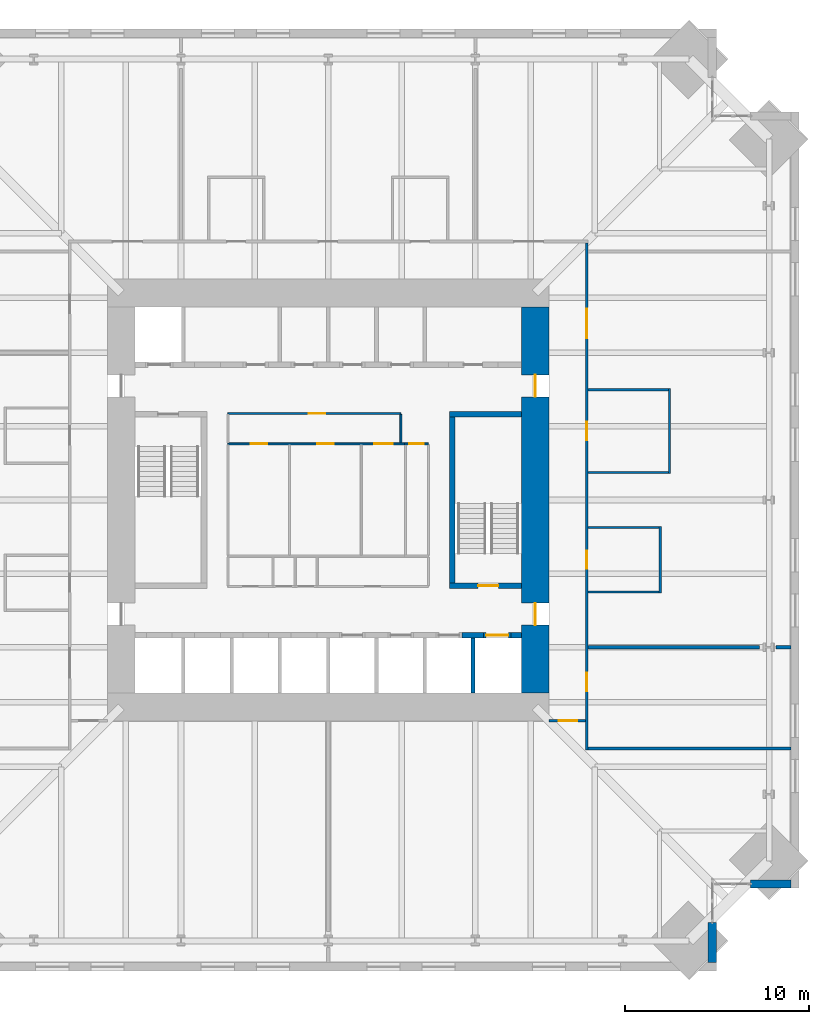
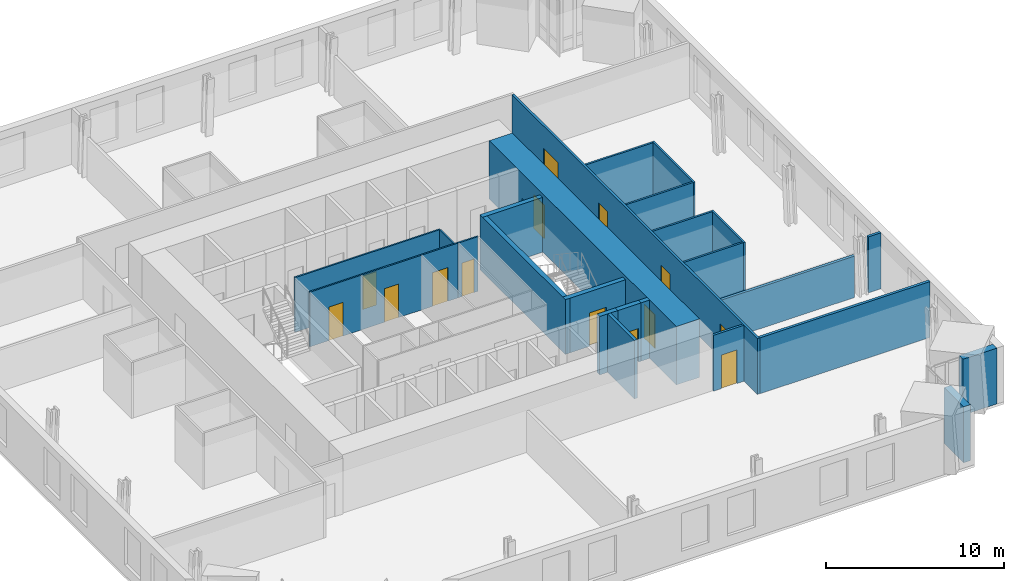
# One storey, part 15 of 18: 25 walls, 14 doors, 14 openings.
"""IFC4 building model written with IfcOpenShell, lengths in metres."""

import ifcopenshell
import ifcopenshell.guid

model = None  # the IFC model being written
_history = None  # IfcOwnerHistory: only IFC2X3 demands one
_inside = {}  # id of a spatial element -> (the spatial element, [elements in it])
_under = {}  # id of a project, library or spatial element -> (it, [spatial elements below it])
_declared = {}  # id of a project -> (the project, [libraries it declares])
_typed = {}  # id of a type object -> (the type object, [elements of that type])
_made_of = {}  # id of a material, layer set ... -> (it, [elements and type objects made of it])


def new_model(schema):
    """Start an empty IFC model of exactly this schema.

    Asked for "IFC4X3", IfcOpenShell would pick the latest addendum, in which some entities
    have other attributes; the version numbers below select the first issue.
    IFC2X3 requires an IfcOwnerHistory on every rooted entity: one is made here for all.
    """
    global model, _history
    if schema == "IFC4X3":
        model = ifcopenshell.file(schema_version=(4, 3, 0, 0))
    else:
        model = ifcopenshell.file(schema=schema)
    _inside.clear()
    _under.clear()
    _declared.clear()
    _typed.clear()
    _made_of.clear()
    _history = None
    if model.schema == "IFC2X3":
        org = make("IfcOrganization", Name="unknown")
        user = make(
            "IfcPersonAndOrganization",
            ThePerson=make("IfcPerson", FamilyName="unknown"),
            TheOrganization=org,
        )
        app = make(
            "IfcApplication",
            ApplicationDeveloper=org,
            Version="unknown",
            ApplicationFullName="unknown",
            ApplicationIdentifier="unknown",
        )
        _history = make(
            "IfcOwnerHistory",
            OwningUser=user,
            OwningApplication=app,
            ChangeAction="ADDED",
            CreationDate=0,
        )
    return model


def make(cls, **values):
    """One entity of the class cls with the attributes given. An attribute that is None is left unset."""
    return model.create_entity(
        cls, **{name: value for name, value in values.items() if value is not None}
    )


def rooted(cls, **values):
    """An entity with a GlobalId (a new one), such as an element, a storey or a relation."""
    return make(cls, GlobalId=ifcopenshell.guid.new(), OwnerHistory=_history, **values)


def si_unit(unit_type, name, prefix=None):
    """IfcSIUnit, for example si_unit("LENGTHUNIT", "METRE", prefix="MILLI")."""
    return make("IfcSIUnit", UnitType=unit_type, Prefix=prefix, Name=name)


def assignment(units):
    """IfcUnitAssignment: the units of a project."""
    return None if units is None else make("IfcUnitAssignment", Units=units)


def point(xyz):
    """IfcCartesianPoint."""
    return None if xyz is None else make("IfcCartesianPoint", Coordinates=xyz)


def direction(xyz):
    """IfcDirection."""
    return None if xyz is None else make("IfcDirection", DirectionRatios=xyz)


def frame(location, z_axis=None, x_axis=None):
    """IfcAxis2Placement3D, a coordinate frame: its origin and axes. An axis left out is left unset."""
    return make(
        "IfcAxis2Placement3D",
        Location=point(location),
        Axis=direction(z_axis),
        RefDirection=direction(x_axis),
    )


def frame_2d(location, x_axis=None):
    """IfcAxis2Placement2D, a coordinate frame in the plane: its origin and x axis."""
    return make(
        "IfcAxis2Placement2D", Location=point(location), RefDirection=direction(x_axis)
    )


def origin():
    """The frame at (0, 0, 0) with its axes left unset."""
    return frame((0.0, 0.0, 0.0))


def place(relative_to, where):
    """IfcLocalPlacement: puts the frame where relative to a parent placement (None: the world)."""
    return make(
        "IfcLocalPlacement", PlacementRelTo=relative_to, RelativePlacement=where
    )


def context(
    kind, dimensions, precision=None, world=None, true_north=None, identifier=None
):
    """IfcGeometricRepresentationContext, for example the 3D "Model" context."""
    return make(
        "IfcGeometricRepresentationContext",
        ContextIdentifier=identifier,
        ContextType=kind,
        CoordinateSpaceDimension=dimensions,
        Precision=precision,
        WorldCoordinateSystem=world,
        TrueNorth=true_north,
    )


def subcontext(parent, identifier, kind, view, scale=None):
    """IfcGeometricRepresentationSubContext, for example "Body" below "Model"."""
    return make(
        "IfcGeometricRepresentationSubContext",
        ContextIdentifier=identifier,
        ContextType=kind,
        ParentContext=parent,
        TargetScale=scale,
        TargetView=view,
    )


def project(units=None, contexts=None):
    """IfcProject with its units and contexts."""
    return rooted(
        "IfcProject",
        Name="project",
        RepresentationContexts=contexts,
        UnitsInContext=assignment(units),
    )


def spatial(cls, under=None, at=None, **own):
    """A site, building, storey or space (cls), placed at a placement, below another one or the project."""
    s = rooted(cls, ObjectPlacement=at, **own)
    if under is not None:
        _under.setdefault(under.id(), (under, []))[1].append(s)
    return s


def profile(cls, at=None, kind="AREA", **sizes):
    """A parametric profile (cls). Its sizes go by their IFC names, for example OverallWidth=200.0."""
    return make(cls, ProfileType=kind, Position=at, **sizes)


def rectangle(**sizes):
    """IfcRectangleProfileDef."""
    return profile("IfcRectangleProfileDef", **sizes)


def extrude(swept, where, along, depth):
    """IfcExtrudedAreaSolid: the profile swept, set in the frame where, extruded along a direction by depth."""
    return make(
        "IfcExtrudedAreaSolid",
        SweptArea=swept,
        Position=where,
        ExtrudedDirection=direction(along),
        Depth=depth,
    )


def shape(context_of_items, identifier, shape_type, items):
    """IfcShapeRepresentation: the items that make up one representation, for example the "Body"."""
    return make(
        "IfcShapeRepresentation",
        ContextOfItems=context_of_items,
        RepresentationIdentifier=identifier,
        RepresentationType=shape_type,
        Items=items,
    )


def material(Name=None, Category=None):
    """IfcMaterial."""
    return make("IfcMaterial", Name=Name, Category=Category)


def layer(
    of_material, thickness, ventilated=None, Name=None, Category=None, Priority=None
):
    """IfcMaterialLayer: one layer of a wall or slab, of a material (None: an air gap)."""
    return make(
        "IfcMaterialLayer",
        Material=of_material,
        LayerThickness=thickness,
        IsVentilated=ventilated,
        Name=Name,
        Category=Category,
        Priority=Priority,
    )


def layer_set(layers, Name=None):
    """IfcMaterialLayerSet."""
    return make("IfcMaterialLayerSet", MaterialLayers=layers, LayerSetName=Name)


def made_of(thing, what):
    """Note that an element or type object is made of a material, layer set ...; save() writes the relation."""
    if what is not None:
        _made_of.setdefault(what.id(), (what, []))[1].append(thing)
    return thing


def type_object(cls, material=None, **own):
    """A type object (cls), such as IfcWallType, which elements share."""
    return made_of(rooted(cls, **own), material)


def element(
    cls,
    number,
    at=None,
    inside=None,
    cuts=None,
    type_object=None,
    material=None,
    context=None,
    identifier="Body",
    shape_type=None,
    held_by="IfcProductDefinitionShape",
    body=None,
    shapes=None,
    **own,
):
    """One element of the class cls, such as IfcWall. Its Tag is "e" and its number.

    at: its placement. inside: the storey or other place that contains it. cuts: it is an
    opening in that element (IfcRelVoidsElement). A single representation is given by context,
    identifier, shape_type and body (its items); several are given by shapes. held_by: the class
    of the entity that holds the representations. save() writes the other relations.
    """
    e = rooted(cls, Tag="e%d" % number, ObjectPlacement=at, **own)
    if body is not None:
        shapes = [shape(context, identifier, shape_type, body)]
    if shapes is not None:
        e.Representation = make(held_by, Representations=shapes)
    if inside is not None:
        _inside.setdefault(inside.id(), (inside, []))[1].append(e)
    if cuts is not None:
        rooted(
            "IfcRelVoidsElement", RelatingBuildingElement=cuts, RelatedOpeningElement=e
        )
    if type_object is not None:
        _typed.setdefault(type_object.id(), (type_object, []))[1].append(e)
    return made_of(e, material)


def fill(opening, filler):
    """IfcRelFillsElement: the door or window that sits in an opening."""
    return rooted(
        "IfcRelFillsElement",
        RelatingOpeningElement=opening,
        RelatedBuildingElement=filler,
    )


def aggregate(whole, parts):
    """IfcRelAggregates: a whole, such as a stair, and the parts it consists of."""
    return rooted("IfcRelAggregates", RelatingObject=whole, RelatedObjects=parts)


def save(model, path):
    """Write the relations noted so far, then the file.

    IfcRelAggregates (storeys below a building ...), IfcRelContainedInSpatialStructure (elements
    in a storey), IfcRelDefinesByType, IfcRelAssociatesMaterial and IfcRelDeclares: one each for
    every whole, place, type object, material and project.
    """
    for whole, parts in _under.values():
        aggregate(whole, parts)
    for where, things in _inside.values():
        rooted(
            "IfcRelContainedInSpatialStructure",
            RelatedElements=things,
            RelatingStructure=where,
        )
    for kind, things in _typed.values():
        rooted("IfcRelDefinesByType", RelatedObjects=things, RelatingType=kind)
    for what, things in _made_of.values():
        rooted("IfcRelAssociatesMaterial", RelatedObjects=things, RelatingMaterial=what)
    for by, libraries in _declared.values():
        rooted("IfcRelDeclares", RelatingContext=by, RelatedDefinitions=libraries)
    model.write(path)


model = new_model("IFC4")

# Units and contexts
model_context = context("Model", 3, precision=1e-05, world=origin(), true_north=direction((0.0, 1.0)))
body_context = subcontext(model_context, "Body", "Model", "MODEL_VIEW")
ifc_project = project(units=[si_unit("LENGTHUNIT", "METRE"), si_unit("AREAUNIT", "SQUARE_METRE"), si_unit("VOLUMEUNIT", "CUBIC_METRE"), si_unit("PLANEANGLEUNIT", "RADIAN"), si_unit("MASSUNIT", "GRAM", prefix="KILO")], contexts=[model_context])

# Site, building, storey
site_placement = place(None, origin())
site = spatial("IfcSite", under=ifc_project, at=site_placement, CompositionType="ELEMENT")
building_placement = place(site_placement, origin())
building = spatial("IfcBuilding", under=site, at=building_placement, Name="Peilmerk Tower", CompositionType="ELEMENT")
storey_placement = place(building_placement, frame((0.0, 0.0, 171.800048828125)))
storey = spatial("IfcBuildingStorey", under=building, at=storey_placement, Name="L36", CompositionType="ELEMENT", Elevation=171.800048828125)

# Walls
ifc_material_1 = material(Name="Precast concrete C45/55, board-marked finish", Category="concrete")
ifc_layer_1 = layer(ifc_material_1, 0.449951171875)
ifc_layer_set_1 = layer_set([ifc_layer_1], Name="Precast concrete C45/55, board-marked finish")
wall_type_1 = type_object("IfcWallType", Name="EW1 450 precast concrete facade wall, board-marked", PredefinedType="SOLIDWALL", material=ifc_layer_set_1)
for number, where, z_axis, x_axis, name in (
    (1, (20.875, -22.95361328125, 0.0), (0.0, 0.0, 1.0), (0.0, -1.0, 0.0), "Facade wall SEA L36"),
    (2, (22.95361328125, -20.875, 0.0), (0.0, 0.0, 1.0), (1.0, 0.0, 0.0), "Facade wall SEB L36"),
):
    element("IfcWall", number, at=place(storey_placement, frame(where, z_axis=z_axis, x_axis=x_axis)), inside=storey, type_object=wall_type_1, Name=name, PredefinedType="SOLIDWALL", context=body_context, shape_type="SweptSolid", body=[
        extrude(rectangle(XDim=2.1962890625, YDim=0.449951171875, at=frame_2d((1.09814453125, 0.0))), origin(), (0.0, 0.0, 1.0), 3.829833984375),
    ])

# Wall, openings, doors
ifc_material_2 = material(Name="Calcium silicate block", Category="masonry")
ifc_layer_2 = layer(ifc_material_2, 0.14990234375)
ifc_layer_set_2 = layer_set([ifc_layer_2], Name="Calcium silicate block")
wall_type_2 = type_object("IfcWallType", Name="IW1 150 corridor partition, EI 60", PredefinedType="PARTITIONING", material=ifc_layer_set_2)
wall_1_placement = place(storey_placement, frame((14.050048828125, -13.574951171875, 0.0), z_axis=(0.0, 0.0, 1.0), x_axis=(0.0, 1.0, 0.0)))
wall_1 = element("IfcWall", 3, at=wall_1_placement, inside=storey, type_object=wall_type_2, Name="Corridor wall E L36", PredefinedType="PARTITIONING", context=body_context, shape_type="SweptSolid", body=[
    extrude(rectangle(XDim=27.550048828125, YDim=0.14990234375, at=frame_2d((13.77490234375, 0.0))), origin(), (0.0, 0.0, 1.0), 3.829833984375),
])
opening_1_placement = place(wall_1_placement, frame((3.175048828125, 0.0, 0.0)))
opening_1 = element("IfcOpeningElement", 4, at=opening_1_placement, cuts=wall_1, Name="Opening D1", PredefinedType="OPENING", context=body_context, shape_type="SweptSolid", body=[
    extrude(rectangle(XDim=1.0, YDim=2.300048828125, at=frame_2d((0.5, 1.14990234375))), frame((0.0, 0.0849609375, 0.0), z_axis=(0.0, -1.0, 0.0), x_axis=(1.0, 0.0, 0.0)), (0.0, 0.0, 1.0), 0.169921875),
])
opening_2_placement = place(wall_1_placement, frame((22.375, 0.0, 0.0)))
opening_2 = element("IfcOpeningElement", 5, at=opening_2_placement, cuts=wall_1, Name="Opening D9", PredefinedType="OPENING", context=body_context, shape_type="SweptSolid", body=[
    extrude(rectangle(XDim=1.60009765625, YDim=2.300048828125, at=frame_2d((0.800048828125, 1.14990234375))), frame((0.0, 0.0849609375, 0.0), z_axis=(0.0, -1.0, 0.0), x_axis=(1.0, 0.0, 0.0)), (0.0, 0.0, 1.0), 0.169921875),
])
opening_3_placement = place(wall_1_placement, frame((16.824951171875, 0.0, 0.0)))
opening_3 = element("IfcOpeningElement", 6, at=opening_3_placement, cuts=wall_1, Name="Opening D1", PredefinedType="OPENING", context=body_context, shape_type="SweptSolid", body=[
    extrude(rectangle(XDim=1.0, YDim=2.300048828125, at=frame_2d((0.5, 1.14990234375))), frame((0.0, 0.0849609375, 0.0), z_axis=(0.0, -1.0, 0.0), x_axis=(1.0, 0.0, 0.0)), (0.0, 0.0, 1.0), 0.169921875),
])
opening_4_placement = place(wall_1_placement, frame((9.824951171875, 0.0, 0.0)))
opening_4 = element("IfcOpeningElement", 7, at=opening_4_placement, cuts=wall_1, Name="Opening D1", PredefinedType="OPENING", context=body_context, shape_type="SweptSolid", body=[
    extrude(rectangle(XDim=1.0, YDim=2.300048828125, at=frame_2d((0.5, 1.14990234375))), frame((0.0, 0.0849609375, 0.0), z_axis=(0.0, -1.0, 0.0), x_axis=(1.0, 0.0, 0.0)), (0.0, 0.0, 1.0), 0.169921875),
])
ifc_material_3 = material(Name="Timber door in steel frame", Category="steel")
door_type_1 = type_object("IfcDoorType", Name="D1 1000x2300 room door, EI2 30", OperationType="SINGLE_SWING_LEFT", PredefinedType="DOOR", material=ifc_material_3)
door_1_placement = place(opening_1_placement, frame((1.0, 0.0, 0.0), z_axis=(0.0, 0.0, 1.0), x_axis=(-1.0, 0.0, 0.0)))
door_1 = element("IfcDoor", 8, at=door_1_placement, inside=storey, type_object=door_type_1, Name="Door Project room L36", OperationType="SINGLE_SWING_LEFT", OverallHeight=2.300048828125, OverallWidth=1.0, PredefinedType="DOOR", context=body_context, shape_type="SweptSolid", body=[
    extrude(rectangle(XDim=1.0, YDim=2.300048828125, at=frame_2d((0.5, 1.14990234375))), frame((0.0, 0.02490234375, 0.0), z_axis=(0.0, -1.0, 0.0), x_axis=(1.0, 0.0, 0.0)), (0.0, 0.0, 1.0), 0.050048828125),
])
fill(opening_1, door_1)
door_2_placement = place(opening_3_placement, frame((1.0, 0.0, 0.0), z_axis=(0.0, 0.0, 1.0), x_axis=(-1.0, 0.0, 0.0)))
door_2 = element("IfcDoor", 9, at=door_2_placement, inside=storey, type_object=door_type_1, Name="Door Meeting room L36", OperationType="SINGLE_SWING_LEFT", OverallHeight=2.300048828125, OverallWidth=1.0, PredefinedType="DOOR", context=body_context, shape_type="SweptSolid", body=[
    extrude(rectangle(XDim=1.0, YDim=2.300048828125, at=frame_2d((0.5, 1.14990234375))), frame((0.0, 0.02490234375, 0.0), z_axis=(0.0, -1.0, 0.0), x_axis=(1.0, 0.0, 0.0)), (0.0, 0.0, 1.0), 0.050048828125),
])
fill(opening_3, door_2)
door_3_placement = place(opening_4_placement, frame((1.0, 0.0, 0.0), z_axis=(0.0, 0.0, 1.0), x_axis=(-1.0, 0.0, 0.0)))
door_3 = element("IfcDoor", 10, at=door_3_placement, inside=storey, type_object=door_type_1, Name="Door Pantry L36", OperationType="SINGLE_SWING_LEFT", OverallHeight=2.300048828125, OverallWidth=1.0, PredefinedType="DOOR", context=body_context, shape_type="SweptSolid", body=[
    extrude(rectangle(XDim=1.0, YDim=2.300048828125, at=frame_2d((0.5, 1.14990234375))), frame((0.0, 0.02490234375, 0.0), z_axis=(0.0, -1.0, 0.0), x_axis=(1.0, 0.0, 0.0)), (0.0, 0.0, 1.0), 0.050048828125),
])
fill(opening_4, door_3)
ifc_material_4 = material(Name="Glazed timber door in steel frame", Category="steel")
door_type_2 = type_object("IfcDoorType", Name="D9 1600x2300 glazed double door, EI2 30", OperationType="DOUBLE_DOOR_SINGLE_SWING", PredefinedType="DOOR", material=ifc_material_4)
door_4_placement = place(opening_2_placement, frame((1.60009765625, 0.0, 0.0), z_axis=(0.0, 0.0, 1.0), x_axis=(-1.0, 0.0, 0.0)))
door_4 = element("IfcDoor", 11, at=door_4_placement, inside=storey, type_object=door_type_2, Name="Door Open workspace L36", OperationType="DOUBLE_DOOR_SINGLE_SWING", OverallHeight=2.300048828125, OverallWidth=1.60009765625, PredefinedType="DOOR", context=body_context, shape_type="SweptSolid", body=[
    extrude(rectangle(XDim=1.60009765625, YDim=2.300048828125, at=frame_2d((0.800048828125, 1.14990234375))), frame((0.0, 0.02490234375, 0.0), z_axis=(0.0, -1.0, 0.0), x_axis=(1.0, 0.0, 0.0)), (0.0, 0.0, 1.0), 0.050048828125),
])
fill(opening_2, door_4)

# Wall, opening, door
wall_2_placement = place(storey_placement, frame((13.97509765625, -12.0, 0.0), z_axis=(0.0, 0.0, 1.0), x_axis=(-1.0, 0.0, 0.0)))
wall_2 = element("IfcWall", 12, at=wall_2_placement, inside=storey, type_object=wall_type_2, Name="Corridor wall SE L36", PredefinedType="PARTITIONING", context=body_context, shape_type="SweptSolid", body=[
    extrude(rectangle(XDim=1.97509765625, YDim=0.14990234375, at=frame_2d((0.987548828125, 0.0))), origin(), (0.0, 0.0, 1.0), 3.829833984375),
])
opening_5_placement = place(wall_2_placement, frame((0.449951171875, 0.0, 0.0)))
opening_5 = element("IfcOpeningElement", 13, at=opening_5_placement, cuts=wall_2, Name="Opening D1", PredefinedType="OPENING", context=body_context, shape_type="SweptSolid", body=[
    extrude(rectangle(XDim=1.0, YDim=2.300048828125, at=frame_2d((0.5, 1.14990234375))), frame((0.0, 0.0849609375, 0.0), z_axis=(0.0, -1.0, 0.0), x_axis=(1.0, 0.0, 0.0)), (0.0, 0.0, 1.0), 0.169921875),
])
door_5_placement = place(opening_5_placement, origin())
door_5 = element("IfcDoor", 14, at=door_5_placement, inside=storey, type_object=door_type_1, Name="Door Open workspace L36", OperationType="SINGLE_SWING_LEFT", OverallHeight=2.300048828125, OverallWidth=1.0, PredefinedType="DOOR", context=body_context, shape_type="SweptSolid", body=[
    extrude(rectangle(XDim=1.0, YDim=2.300048828125, at=frame_2d((0.5, 1.14990234375))), frame((0.0, 0.02490234375, 0.0), z_axis=(0.0, -1.0, 0.0), x_axis=(1.0, 0.0, 0.0)), (0.0, 0.0, 1.0), 0.050048828125),
])
fill(opening_5, door_5)

# Walls
ifc_material_5 = material(Name="Concrete C35/45", Category="concrete")
ifc_layer_3 = layer(ifc_material_5, 0.300048828125)
ifc_layer_set_3 = layer_set([ifc_layer_3], Name="Concrete C35/45")
wall_type_3 = type_object("IfcWallType", Name="IW3 300 concrete stair enclosure wall, EI 120", PredefinedType="SOLIDWALL", material=ifc_layer_set_3)
wall_3_placement = place(storey_placement, frame((6.75, -4.800048828125, 0.0), z_axis=(0.0, 0.0, 1.0), x_axis=(0.0, 1.0, 0.0)))
element("IfcWall", 15, at=wall_3_placement, inside=storey, type_object=wall_type_3, Name="Stair 2 enclosure L36", PredefinedType="SOLIDWALL", context=body_context, shape_type="SweptSolid", body=[
    extrude(rectangle(XDim=9.60009765625, YDim=0.300048828125, at=frame_2d((4.800048828125, 0.0))), origin(), (0.0, 0.0, 1.0), 3.75),
])
wall_4_placement = place(storey_placement, frame((6.60009765625, 4.64990234375, 0.0), z_axis=(0.0, 0.0, 1.0), x_axis=(1.0, 0.0, 0.0)))
element("IfcWall", 16, at=wall_4_placement, inside=storey, type_object=wall_type_3, Name="Stair 2 enclosure L36", PredefinedType="SOLIDWALL", context=body_context, shape_type="SweptSolid", body=[
    extrude(rectangle(XDim=3.89990234375, YDim=0.300048828125, at=frame_2d((1.949951171875, 0.0))), origin(), (0.0, 0.0, 1.0), 3.75),
])

# Wall, opening, door
wall_5_placement = place(storey_placement, frame((10.5, -4.64990234375, 0.0), z_axis=(0.0, 0.0, 1.0), x_axis=(-1.0, 0.0, 0.0)))
wall_5 = element("IfcWall", 17, at=wall_5_placement, inside=storey, type_object=wall_type_3, Name="Stair 2 enclosure L36", PredefinedType="SOLIDWALL", context=body_context, shape_type="SweptSolid", body=[
    extrude(rectangle(XDim=3.89990234375, YDim=0.300048828125, at=frame_2d((1.949951171875, 0.0))), origin(), (0.0, 0.0, 1.0), 3.75),
])
opening_6_placement = place(wall_5_placement, frame((1.25, 0.0, 0.0)))
opening_6 = element("IfcOpeningElement", 18, at=opening_6_placement, cuts=wall_5, Name="Opening D4", PredefinedType="OPENING", context=body_context, shape_type="SweptSolid", body=[
    extrude(rectangle(XDim=1.10009765625, YDim=2.300048828125, at=frame_2d((0.550048828125, 1.14990234375))), frame((0.0, 0.159912109375, 0.0), z_axis=(0.0, -1.0, 0.0), x_axis=(1.0, 0.0, 0.0)), (0.0, 0.0, 1.0), 0.320068359375),
])
ifc_material_6 = material(Name="Steel door in steel frame", Category="steel")
door_type_3 = type_object("IfcDoorType", Name="D4 1100x2300 stair door, EI2 60", OperationType="SINGLE_SWING_RIGHT", PredefinedType="DOOR", material=ifc_material_6)
door_6_placement = place(opening_6_placement, frame((1.10009765625, 0.0, 0.0), z_axis=(0.0, 0.0, 1.0), x_axis=(-1.0, 0.0, 0.0)))
door_6 = element("IfcDoor", 19, at=door_6_placement, inside=storey, type_object=door_type_3, Name="Stair 2 door L36", OperationType="SINGLE_SWING_RIGHT", OverallHeight=2.300048828125, OverallWidth=1.10009765625, PredefinedType="DOOR", context=body_context, shape_type="SweptSolid", body=[
    extrude(rectangle(XDim=1.10009765625, YDim=2.300048828125, at=frame_2d((0.550048828125, 1.14990234375))), frame((0.0, 0.02490234375, 0.0), z_axis=(0.0, -1.0, 0.0), x_axis=(1.0, 0.0, 0.0)), (0.0, 0.0, 1.0), 0.050048828125),
])
fill(opening_6, door_6)

# Wall, openings, doors
ifc_material_7 = material(Name="Plasterboard on steel studs", Category="steel")
ifc_layer_4 = layer(ifc_material_7, 0.10009765625)
ifc_layer_set_4 = layer_set([ifc_layer_4], Name="Plasterboard on steel studs")
wall_type_4 = type_object("IfcWallType", Name="IW4 100 WC partition", PredefinedType="PARTITIONING", material=ifc_layer_set_4)
wall_6_placement = place(storey_placement, frame((-5.449951171875, 3.050048828125, 0.0), z_axis=(0.0, 0.0, 1.0), x_axis=(1.0, 0.0, 0.0)))
wall_6 = element("IfcWall", 20, at=wall_6_placement, inside=storey, type_object=wall_type_4, Name="WC wall L36", PredefinedType="PARTITIONING", context=body_context, shape_type="SweptSolid", body=[
    extrude(rectangle(XDim=9.599853515625, YDim=0.10009765625, at=frame_2d((4.7998046875, 0.0))), origin(), (0.0, 0.0, 1.0), 3.75),
])
opening_7_placement = place(wall_6_placement, frame((1.25, 0.0, 0.0)))
opening_7 = element("IfcOpeningElement", 21, at=opening_7_placement, cuts=wall_6, Name="Opening D5", PredefinedType="OPENING", context=body_context, shape_type="SweptSolid", body=[
    extrude(rectangle(XDim=0.89990234375, YDim=2.300048828125, at=frame_2d((0.449951171875, 1.14990234375))), frame((0.0, 0.06005859375, 0.0), z_axis=(0.0, -1.0, 0.0), x_axis=(1.0, 0.0, 0.0)), (0.0, 0.0, 1.0), 0.1201171875),
])
opening_8_placement = place(wall_6_placement, frame((4.85009765625, 0.0, 0.0)))
opening_8 = element("IfcOpeningElement", 22, at=opening_8_placement, cuts=wall_6, Name="Opening D5", PredefinedType="OPENING", context=body_context, shape_type="SweptSolid", body=[
    extrude(rectangle(XDim=0.89990234375, YDim=2.300048828125, at=frame_2d((0.449951171875, 1.14990234375))), frame((0.0, 0.06005859375, 0.0), z_axis=(0.0, -1.0, 0.0), x_axis=(1.0, 0.0, 0.0)), (0.0, 0.0, 1.0), 0.1201171875),
])
opening_9_placement = place(wall_6_placement, frame((7.949951171875, 0.0, 0.0)))
opening_9 = element("IfcOpeningElement", 23, at=opening_9_placement, cuts=wall_6, Name="Opening D6", PredefinedType="OPENING", context=body_context, shape_type="SweptSolid", body=[
    extrude(rectangle(XDim=1.0, YDim=2.300048828125, at=frame_2d((0.5, 1.14990234375))), frame((0.0, 0.06005859375, 0.0), z_axis=(0.0, -1.0, 0.0), x_axis=(1.0, 0.0, 0.0)), (0.0, 0.0, 1.0), 0.1201171875),
])
door_type_4 = type_object("IfcDoorType", Name="D5 900x2300 WC door", OperationType="SINGLE_SWING_LEFT", PredefinedType="DOOR", material=ifc_material_3)
door_7_placement = place(opening_7_placement, frame((0.89990234375, 0.0, 0.0), z_axis=(0.0, 0.0, 1.0), x_axis=(-1.0, 0.0, 0.0)))
door_7 = element("IfcDoor", 24, at=door_7_placement, inside=storey, type_object=door_type_4, Name="Female toilets door L36", OperationType="SINGLE_SWING_LEFT", OverallHeight=2.300048828125, OverallWidth=0.89990234375, PredefinedType="DOOR", context=body_context, shape_type="SweptSolid", body=[
    extrude(rectangle(XDim=0.89990234375, YDim=2.300048828125, at=frame_2d((0.449951171875, 1.14990234375))), frame((0.0, 0.02490234375, 0.0), z_axis=(0.0, -1.0, 0.0), x_axis=(1.0, 0.0, 0.0)), (0.0, 0.0, 1.0), 0.050048828125),
])
fill(opening_7, door_7)
door_8_placement = place(opening_8_placement, frame((0.89990234375, 0.0, 0.0), z_axis=(0.0, 0.0, 1.0), x_axis=(-1.0, 0.0, 0.0)))
door_8 = element("IfcDoor", 25, at=door_8_placement, inside=storey, type_object=door_type_4, Name="Male toilets door L36", OperationType="SINGLE_SWING_LEFT", OverallHeight=2.300048828125, OverallWidth=0.89990234375, PredefinedType="DOOR", context=body_context, shape_type="SweptSolid", body=[
    extrude(rectangle(XDim=0.89990234375, YDim=2.300048828125, at=frame_2d((0.449951171875, 1.14990234375))), frame((0.0, 0.02490234375, 0.0), z_axis=(0.0, -1.0, 0.0), x_axis=(1.0, 0.0, 0.0)), (0.0, 0.0, 1.0), 0.050048828125),
])
fill(opening_8, door_8)
door_type_5 = type_object("IfcDoorType", Name="D6 1000x2300 accessible WC door", OperationType="SLIDING_TO_LEFT", PredefinedType="DOOR", material=ifc_material_3)
door_9_placement = place(opening_9_placement, frame((1.0, 0.0, 0.0), z_axis=(0.0, 0.0, 1.0), x_axis=(-1.0, 0.0, 0.0)))
door_9 = element("IfcDoor", 26, at=door_9_placement, inside=storey, type_object=door_type_5, Name="Accessible WC door L36", OperationType="SLIDING_TO_LEFT", OverallHeight=2.300048828125, OverallWidth=1.0, PredefinedType="DOOR", context=body_context, shape_type="SweptSolid", body=[
    extrude(rectangle(XDim=1.0, YDim=2.300048828125, at=frame_2d((0.5, 1.14990234375))), frame((0.0, 0.02490234375, 0.0), z_axis=(0.0, -1.0, 0.0), x_axis=(1.0, 0.0, 0.0)), (0.0, 0.0, 1.0), 0.050048828125),
])
fill(opening_9, door_9)

# Wall, opening, door
ifc_material_8 = material(Name="Calcium silicate board on steel studs", Category="steel")
ifc_layer_5 = layer(ifc_material_8, 0.10009765625)
ifc_layer_set_5 = layer_set([ifc_layer_5], Name="Calcium silicate board on steel studs")
wall_type_5 = type_object("IfcWallType", Name="IW5 100 riser enclosure wall, EI 60", PredefinedType="PARTITIONING", material=ifc_layer_set_5)
wall_7_placement = place(storey_placement, frame((4.14990234375, 3.050048828125, 0.0), z_axis=(0.0, 0.0, 1.0), x_axis=(1.0, 0.0, 0.0)))
wall_7 = element("IfcWall", 27, at=wall_7_placement, inside=storey, type_object=wall_type_5, Name="Riser wall L36", PredefinedType="PARTITIONING", context=body_context, shape_type="SweptSolid", body=[
    extrude(rectangle(XDim=1.300048828125, YDim=0.10009765625, at=frame_2d((0.64990234375, 0.0))), origin(), (0.0, 0.0, 1.0), 3.75),
])
opening_10_placement = place(wall_7_placement, frame((0.25, 0.0, 0.0)))
opening_10 = element("IfcOpeningElement", 28, at=opening_10_placement, cuts=wall_7, Name="Opening D7", PredefinedType="OPENING", context=body_context, shape_type="SweptSolid", body=[
    extrude(rectangle(XDim=0.800048828125, YDim=2.300048828125, at=frame_2d((0.39990234375, 1.14990234375))), frame((0.0, 0.06005859375, 0.0), z_axis=(0.0, -1.0, 0.0), x_axis=(1.0, 0.0, 0.0)), (0.0, 0.0, 1.0), 0.1201171875),
])
door_type_6 = type_object("IfcDoorType", Name="D7 800x2300 riser access door, EI2 60", OperationType="SINGLE_SWING_RIGHT", PredefinedType="DOOR", material=ifc_material_6)
door_10_placement = place(opening_10_placement, frame((0.800048828125, 0.0, 0.0), z_axis=(0.0, 0.0, 1.0), x_axis=(-1.0, 0.0, 0.0)))
door_10 = element("IfcDoor", 29, at=door_10_placement, inside=storey, type_object=door_type_6, Name="Plumbing riser door L36", OperationType="SINGLE_SWING_RIGHT", OverallHeight=2.300048828125, OverallWidth=0.800048828125, PredefinedType="DOOR", context=body_context, shape_type="SweptSolid", body=[
    extrude(rectangle(XDim=0.800048828125, YDim=2.300048828125, at=frame_2d((0.39990234375, 1.14990234375))), frame((0.0, 0.02490234375, 0.0), z_axis=(0.0, -1.0, 0.0), x_axis=(1.0, 0.0, 0.0)), (0.0, 0.0, 1.0), 0.050048828125),
])
fill(opening_10, door_10)

# Walls
ifc_material_9 = material(Name="Plasterboard on steel studs, double boarded with mineral wool", Category="steel")
ifc_layer_6 = layer(ifc_material_9, 0.125)
ifc_layer_set_6 = layer_set([ifc_layer_6], Name="Plasterboard on steel studs, double boarded with mineral wool")
wall_type_6 = type_object("IfcWallType", Name="IW7 125 acoustic partition, EI 30", PredefinedType="PARTITIONING", material=ifc_layer_set_6)
wall_8_placement = place(storey_placement, frame((18.550048828125, 1.4375, 0.0), z_axis=(0.0, 0.0, 1.0), x_axis=(0.0, 1.0, 0.0)))
element("IfcWall", 30, at=wall_8_placement, inside=storey, type_object=wall_type_6, Name="Acoustic partition Meeting room L36", PredefinedType="PARTITIONING", context=body_context, shape_type="SweptSolid", body=[
    extrude(rectangle(XDim=4.625, YDim=0.125, at=frame_2d((2.3125, 0.0))), origin(), (0.0, 0.0, 1.0), 3.829833984375),
])
for number, where, z_axis, x_axis, name in (
    (31, (14.125, 1.5, 0.0), (0.0, 0.0, 1.0), (1.0, 0.0, 0.0), "Acoustic partition Meeting room L36"),
    (32, (14.125, 6.0, 0.0), (0.0, 0.0, 1.0), (1.0, 0.0, 0.0), "Acoustic partition Meeting room L36"),
):
    element("IfcWall", number, at=place(storey_placement, frame(where, z_axis=z_axis, x_axis=x_axis)), inside=storey, type_object=wall_type_6, Name=name, PredefinedType="PARTITIONING", context=body_context, shape_type="SweptSolid", body=[
        extrude(rectangle(XDim=4.362548828125, YDim=0.125, at=frame_2d((2.18115234375, 0.0))), origin(), (0.0, 0.0, 1.0), 3.829833984375),
    ])
wall_9_placement = place(storey_placement, frame((18.050048828125, -5.0625, 0.0), z_axis=(0.0, 0.0, 1.0), x_axis=(0.0, 1.0, 0.0)))
element("IfcWall", 33, at=wall_9_placement, inside=storey, type_object=wall_type_6, Name="Acoustic partition Pantry L36", PredefinedType="PARTITIONING", context=body_context, shape_type="SweptSolid", body=[
    extrude(rectangle(XDim=3.625, YDim=0.125, at=frame_2d((1.8125, 0.0))), origin(), (0.0, 0.0, 1.0), 3.829833984375),
])
for number, where, z_axis, x_axis, name in (
    (34, (14.125, -5.0, 0.0), (0.0, 0.0, 1.0), (1.0, 0.0, 0.0), "Acoustic partition Pantry L36"),
    (35, (14.125, -1.5, 0.0), (0.0, 0.0, 1.0), (1.0, 0.0, 0.0), "Acoustic partition Pantry L36"),
):
    element("IfcWall", number, at=place(storey_placement, frame(where, z_axis=z_axis, x_axis=x_axis)), inside=storey, type_object=wall_type_6, Name=name, PredefinedType="PARTITIONING", context=body_context, shape_type="SweptSolid", body=[
        extrude(rectangle(XDim=3.862548828125, YDim=0.125, at=frame_2d((1.93115234375, 0.0))), origin(), (0.0, 0.0, 1.0), 3.829833984375),
    ])
ifc_layer_7 = layer(ifc_material_2, 0.175048828125)
ifc_layer_set_7 = layer_set([ifc_layer_7], Name="Calcium silicate block")
wall_type_7 = type_object("IfcWallType", Name="IW8 175 tenant separating wall, EI 60", PredefinedType="PARTITIONING", material=ifc_layer_set_7)
wall_10_placement = place(storey_placement, frame((25.14990234375, -13.5, 0.0), z_axis=(0.0, 0.0, 1.0), x_axis=(-1.0, 0.0, 0.0)))
element("IfcWall", 36, at=wall_10_placement, inside=storey, type_object=wall_type_7, Name="Tenant separating wall SE L36", PredefinedType="PARTITIONING", context=body_context, shape_type="SweptSolid", body=[
    extrude(rectangle(XDim=11.02490234375, YDim=0.175048828125, at=frame_2d((5.512451171875, 0.0))), origin(), (0.0, 0.0, 1.0), 3.829833984375),
])
wall_11_placement = place(storey_placement, frame((14.125, -8.0, 0.0), z_axis=(0.0, 0.0, 1.0), x_axis=(1.0, 0.0, 0.0)))
element("IfcWall", 37, at=wall_11_placement, inside=storey, type_object=wall_type_7, Name="Tenant separating wall E1 L36", PredefinedType="PARTITIONING", context=body_context, shape_type="SweptSolid", body=[
    extrude(rectangle(XDim=9.319091796875, YDim=0.175048828125, at=frame_2d((4.65966796875, 0.0))), origin(), (0.0, 0.0, 1.0), 2.83984375),
])
wall_12_placement = place(storey_placement, frame((24.333251953125, -8.0, 0.0), z_axis=(0.0, 0.0, 1.0), x_axis=(1.0, 0.0, 0.0)))
element("IfcWall", 38, at=wall_12_placement, inside=storey, type_object=wall_type_7, Name="Tenant separating wall E1b L36", PredefinedType="PARTITIONING", context=body_context, shape_type="SweptSolid", body=[
    extrude(rectangle(XDim=0.816650390625, YDim=0.175048828125, at=frame_2d((0.408203125, 0.0))), origin(), (0.0, 0.0, 1.0), 3.829833984375),
])

# Wall, opening, door
ifc_material_10 = material(Name="Fire-resisting plasterboard on steel studs", Category="steel")
ifc_layer_8 = layer(ifc_material_10, 0.10009765625)
ifc_layer_set_8 = layer_set([ifc_layer_8], Name="Fire-resisting plasterboard on steel studs")
wall_type_8 = type_object("IfcWallType", Name="IW9 100 WC lobby wall, EI 30", PredefinedType="PARTITIONING", material=ifc_layer_set_8)
wall_13_placement = place(storey_placement, frame((-5.449951171875, 4.699951171875, 0.0), z_axis=(0.0, 0.0, 1.0), x_axis=(1.0, 0.0, 0.0)))
wall_13 = element("IfcWall", 39, at=wall_13_placement, inside=storey, type_object=wall_type_8, Name="WC lobby wall L36", PredefinedType="PARTITIONING", context=body_context, shape_type="SweptSolid", body=[
    extrude(rectangle(XDim=9.39990234375, YDim=0.10009765625, at=frame_2d((4.699951171875, 0.0))), origin(), (0.0, 0.0, 1.0), 3.75),
])
opening_11_placement = place(wall_13_placement, frame((4.39990234375, 0.0, 0.0)))
opening_11 = element("IfcOpeningElement", 40, at=opening_11_placement, cuts=wall_13, Name="Opening D11", PredefinedType="OPENING", context=body_context, shape_type="SweptSolid", body=[
    extrude(rectangle(XDim=0.89990234375, YDim=2.300048828125, at=frame_2d((0.449951171875, 1.14990234375))), frame((0.0, 0.06005859375, 0.0), z_axis=(0.0, -1.0, 0.0), x_axis=(1.0, 0.0, 0.0)), (0.0, 0.0, 1.0), 0.1201171875),
])
door_type_7 = type_object("IfcDoorType", Name="D11 900x2300 WC lobby door, EI2 30", OperationType="SINGLE_SWING_LEFT", PredefinedType="DOOR", material=ifc_material_3)
door_11_placement = place(opening_11_placement, frame((0.89990234375, 0.0, 0.0), z_axis=(0.0, 0.0, 1.0), x_axis=(-1.0, 0.0, 0.0)))
door_11 = element("IfcDoor", 41, at=door_11_placement, inside=storey, type_object=door_type_7, Name="WC lobby door L36", OperationType="SINGLE_SWING_LEFT", OverallHeight=2.300048828125, OverallWidth=0.89990234375, PredefinedType="DOOR", context=body_context, shape_type="SweptSolid", body=[
    extrude(rectangle(XDim=0.89990234375, YDim=2.300048828125, at=frame_2d((0.449951171875, 1.14990234375))), frame((0.0, 0.02490234375, 0.0), z_axis=(0.0, -1.0, 0.0), x_axis=(1.0, 0.0, 0.0)), (0.0, 0.0, 1.0), 0.050048828125),
])
fill(opening_11, door_11)

# Walls
wall_14_placement = place(storey_placement, frame((3.949951171875, 3.10009765625, 0.0), z_axis=(0.0, 0.0, 1.0), x_axis=(0.0, 1.0, 0.0)))
element("IfcWall", 42, at=wall_14_placement, inside=storey, type_object=wall_type_8, Name="WC lobby wall L36", PredefinedType="PARTITIONING", context=body_context, shape_type="SweptSolid", body=[
    extrude(rectangle(XDim=1.5498046875, YDim=0.10009765625, at=frame_2d((0.77490234375, 0.0))), origin(), (0.0, 0.0, 1.0), 3.75),
])
ifc_layer_9 = layer(ifc_material_2, 0.199951171875)
ifc_layer_set_9 = layer_set([ifc_layer_9], Name="Calcium silicate block")
wall_type_9 = type_object("IfcWallType", Name="SH1 200 shaft dividing wall, EI 120", PredefinedType="PARTITIONING", material=ifc_layer_set_9)
wall_15_placement = place(storey_placement, frame((7.875, -10.5, 0.0), z_axis=(0.0, 0.0, 1.0), x_axis=(0.0, 1.0, 0.0)))
element("IfcWall", 43, at=wall_15_placement, inside=storey, type_object=wall_type_9, Name="Shaft wall S B1 L36", PredefinedType="PARTITIONING", context=body_context, shape_type="SweptSolid", body=[
    extrude(rectangle(XDim=3.0, YDim=0.199951171875, at=frame_2d((1.5, 0.0))), origin(), (0.0, 0.0, 1.0), 4.0),
])

# Wall, opening, door
ifc_layer_10 = layer(ifc_material_2, 0.300048828125)
ifc_layer_set_10 = layer_set([ifc_layer_10], Name="Calcium silicate block")
wall_type_10 = type_object("IfcWallType", Name="SH2 300 lift landing door panel, EI 120", PredefinedType="PARTITIONING", material=ifc_layer_set_10)
wall_16_placement = place(storey_placement, frame((8.4375, -7.35009765625, 0.0), z_axis=(0.0, 0.0, 1.0), x_axis=(1.0, 0.0, 0.0)))
wall_16 = element("IfcWall", 44, at=wall_16_placement, inside=storey, type_object=wall_type_10, Name="Lift door panel S FL2 L36", PredefinedType="PARTITIONING", context=body_context, shape_type="SweptSolid", body=[
    extrude(rectangle(XDim=1.5, YDim=0.300048828125, at=frame_2d((0.75, 0.0))), origin(), (0.0, 0.0, 1.0), 4.0),
])
opening_12_placement = place(wall_16_placement, frame((0.14990234375, 0.0, 0.0)))
opening_12 = element("IfcOpeningElement", 45, at=opening_12_placement, cuts=wall_16, Name="Opening LD2", PredefinedType="OPENING", context=body_context, shape_type="SweptSolid", body=[
    extrude(rectangle(XDim=1.199951171875, YDim=2.300048828125, at=frame_2d((0.60009765625, 1.14990234375))), frame((0.0, 0.159912109375, 0.0), z_axis=(0.0, -1.0, 0.0), x_axis=(1.0, 0.0, 0.0)), (0.0, 0.0, 1.0), 0.320068359375),
])
ifc_material_11 = material(Name="Stainless steel landing door", Category="steel")
door_type_8 = type_object("IfcDoorType", Name="LD2 1200x2300 lift landing door, sliding, EI2 60", OperationType="SLIDING_TO_LEFT", PredefinedType="DOOR", material=ifc_material_11)
door_12_placement = place(opening_12_placement, origin())
door_12 = element("IfcDoor", 46, at=door_12_placement, inside=storey, type_object=door_type_8, Name="Lift landing door FL2 L36", OperationType="SLIDING_TO_LEFT", OverallHeight=2.300048828125, OverallWidth=1.199951171875, PredefinedType="DOOR", context=body_context, shape_type="SweptSolid", body=[
    extrude(rectangle(XDim=1.199951171875, YDim=2.300048828125, at=frame_2d((0.60009765625, 1.14990234375))), frame((0.0, 0.02490234375, 0.0), z_axis=(0.0, -1.0, 0.0), x_axis=(1.0, 0.0, 0.0)), (0.0, 0.0, 1.0), 0.050048828125),
])
fill(opening_12, door_12)

# Wall, openings, doors
ifc_material_12 = material(Name="Concrete C55/67", Category="concrete")
ifc_layer_11 = layer(ifc_material_12, 1.5)
ifc_layer_set_11 = layer_set([ifc_layer_11], Name="Concrete C55/67")
wall_type_11 = type_object("IfcWallType", Name="SW1 1500 core wall", PredefinedType="SHEAR", material=ifc_layer_set_11)
wall_17_placement = place(storey_placement, frame((11.25, 10.5, 0.0), z_axis=(0.0, 0.0, 1.0), x_axis=(0.0, -1.0, 0.0)))
wall_17 = element("IfcWall", 47, at=wall_17_placement, inside=storey, type_object=wall_type_11, Name="Core wall E L36", PredefinedType="SHEAR", context=body_context, shape_type="SweptSolid", body=[
    extrude(rectangle(XDim=21.0, YDim=1.5, at=frame_2d((10.5, 0.0))), origin(), (0.0, 0.0, 1.0), 4.0),
])
opening_13_placement = place(wall_17_placement, frame((3.699951171875, 0.0, 0.0)))
opening_13 = element("IfcOpeningElement", 48, at=opening_13_placement, cuts=wall_17, Name="Opening D3", PredefinedType="OPENING", context=body_context, shape_type="SweptSolid", body=[
    extrude(rectangle(XDim=1.199951171875, YDim=2.300048828125, at=frame_2d((0.60009765625, 1.14990234375))), frame((0.0, 0.760009765625, 0.0), z_axis=(0.0, -1.0, 0.0), x_axis=(1.0, 0.0, 0.0)), (0.0, 0.0, 1.0), 1.52001953125),
])
opening_14_placement = place(wall_17_placement, frame((16.10009765625, 0.0, 0.0)))
opening_14 = element("IfcOpeningElement", 49, at=opening_14_placement, cuts=wall_17, Name="Opening D3", PredefinedType="OPENING", context=body_context, shape_type="SweptSolid", body=[
    extrude(rectangle(XDim=1.199951171875, YDim=2.300048828125, at=frame_2d((0.60009765625, 1.14990234375))), frame((0.0, 0.760009765625, 0.0), z_axis=(0.0, -1.0, 0.0), x_axis=(1.0, 0.0, 0.0)), (0.0, 0.0, 1.0), 1.52001953125),
])
door_type_9 = type_object("IfcDoorType", Name="D3 1200x2300 core door, EI2 60", OperationType="SINGLE_SWING_LEFT", PredefinedType="DOOR", material=ifc_material_6)
door_13_placement = place(opening_13_placement, frame((1.199951171875, 0.0, 0.0), z_axis=(0.0, 0.0, 1.0), x_axis=(-1.0, 0.0, 0.0)))
door_13 = element("IfcDoor", 50, at=door_13_placement, inside=storey, type_object=door_type_9, Name="Core door L36", OperationType="SINGLE_SWING_LEFT", OverallHeight=2.300048828125, OverallWidth=1.199951171875, PredefinedType="DOOR", context=body_context, shape_type="SweptSolid", body=[
    extrude(rectangle(XDim=1.199951171875, YDim=2.300048828125, at=frame_2d((0.60009765625, 1.14990234375))), frame((0.0, 0.02490234375, 0.0), z_axis=(0.0, -1.0, 0.0), x_axis=(1.0, 0.0, 0.0)), (0.0, 0.0, 1.0), 0.050048828125),
])
fill(opening_13, door_13)
door_14_placement = place(opening_14_placement, frame((1.199951171875, 0.0, 0.0), z_axis=(0.0, 0.0, 1.0), x_axis=(-1.0, 0.0, 0.0)))
door_14 = element("IfcDoor", 51, at=door_14_placement, inside=storey, type_object=door_type_9, Name="Core door L36", OperationType="SINGLE_SWING_LEFT", OverallHeight=2.300048828125, OverallWidth=1.199951171875, PredefinedType="DOOR", context=body_context, shape_type="SweptSolid", body=[
    extrude(rectangle(XDim=1.199951171875, YDim=2.300048828125, at=frame_2d((0.60009765625, 1.14990234375))), frame((0.0, 0.02490234375, 0.0), z_axis=(0.0, -1.0, 0.0), x_axis=(1.0, 0.0, 0.0)), (0.0, 0.0, 1.0), 0.050048828125),
])
fill(opening_14, door_14)

# Walls
ifc_layer_12 = layer(ifc_material_12, 0.300048828125)
ifc_layer_set_12 = layer_set([ifc_layer_12], Name="Concrete C55/67")
wall_type_12 = type_object("IfcWallType", Name="SW2 300 lift bank pier", PredefinedType="SHEAR", material=ifc_layer_set_12)
wall_18_placement = place(storey_placement, frame((7.262451171875, -7.35009765625, 0.0), z_axis=(0.0, 0.0, 1.0), x_axis=(1.0, 0.0, 0.0)))
element("IfcWall", 52, at=wall_18_placement, inside=storey, type_object=wall_type_12, Name="Lift bank pier S L36", PredefinedType="SHEAR", context=body_context, shape_type="SweptSolid", body=[
    extrude(rectangle(XDim=1.175048828125, YDim=0.300048828125, at=frame_2d((0.58740234375, 0.0))), origin(), (0.0, 0.0, 1.0), 4.0),
])
wall_19_placement = place(storey_placement, frame((9.9375, -7.35009765625, 0.0), z_axis=(0.0, 0.0, 1.0), x_axis=(1.0, 0.0, 0.0)))
element("IfcWall", 53, at=wall_19_placement, inside=storey, type_object=wall_type_12, Name="Lift bank pier S L36", PredefinedType="SHEAR", context=body_context, shape_type="SweptSolid", body=[
    extrude(rectangle(XDim=0.5625, YDim=0.300048828125, at=frame_2d((0.28125, 0.0))), origin(), (0.0, 0.0, 1.0), 4.0),
])

save(model, "model.ifc")
